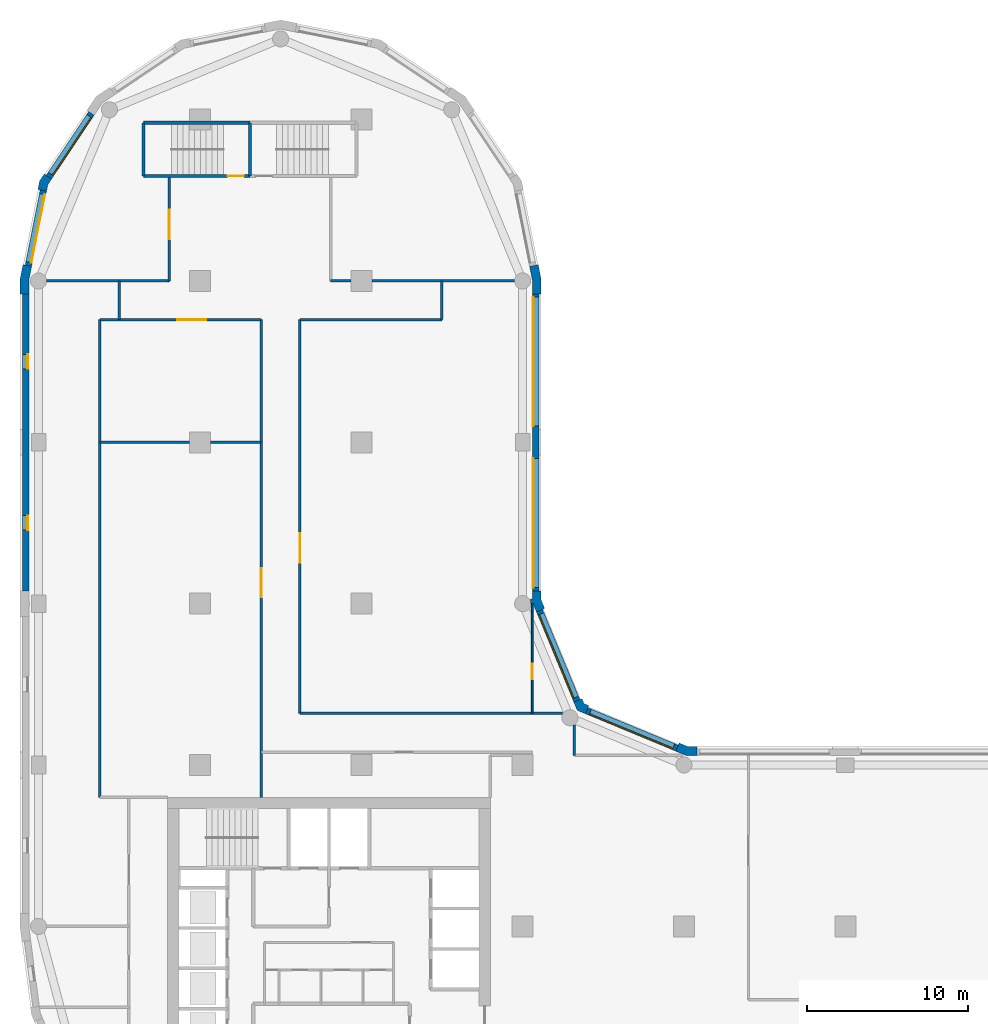
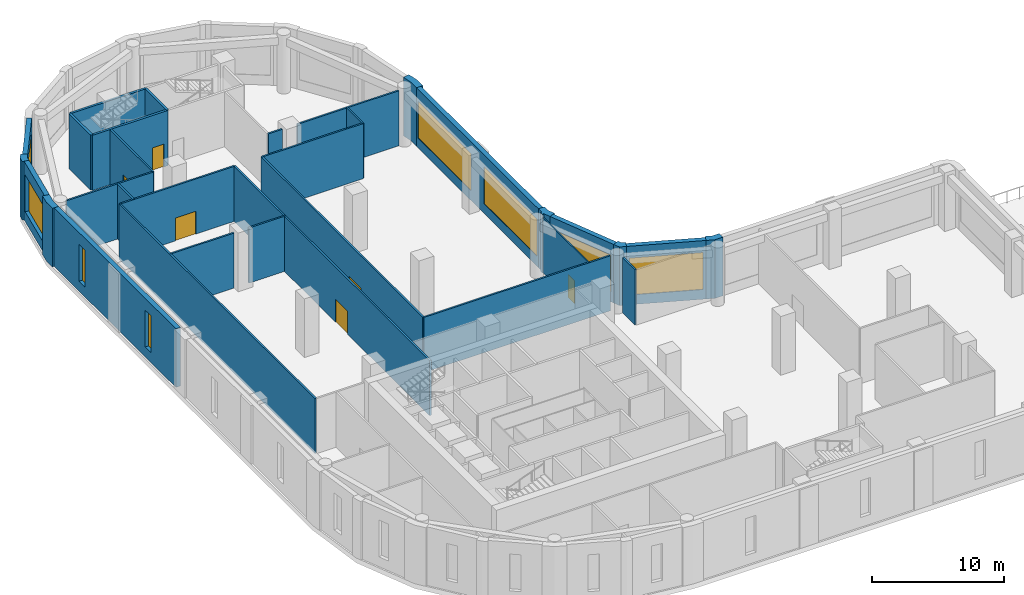
# One storey, part 5 of 9: 32 walls, 8 windows, 6 doors, 14 openings.
"""IFC4 building model written with IfcOpenShell, lengths in metres."""

from ifc_helpers import new_model, si_unit, direction, frame, frame_2d, origin, place, context, subcontext, project, spatial, polyline, rectangle, outline, extrude, material, layer, layer_set, type_object, element, fill, save


model = new_model("IFC4")

# Units and contexts
model_context = context("Model", 3, precision=1e-05, world=origin(), true_north=direction((0.0, 1.0)))
body_context = subcontext(model_context, "Body", "Model", "MODEL_VIEW")
ifc_project = project(units=[si_unit("LENGTHUNIT", "METRE"), si_unit("AREAUNIT", "SQUARE_METRE"), si_unit("VOLUMEUNIT", "CUBIC_METRE"), si_unit("PLANEANGLEUNIT", "RADIAN"), si_unit("MASSUNIT", "GRAM", prefix="KILO")], contexts=[model_context])

# Site, building, storey
site_placement = place(None, origin())
site = spatial("IfcSite", under=ifc_project, at=site_placement, CompositionType="ELEMENT")
building_placement = place(site_placement, origin())
building = spatial("IfcBuilding", under=site, at=building_placement, Name="Qaws Garden Tower", CompositionType="ELEMENT")
storey_placement = place(building_placement, frame((0.0, 0.0, 126.300048828125)))
storey = spatial("IfcBuildingStorey", under=building, at=storey_placement, Name="L30", CompositionType="ELEMENT", Elevation=126.300048828125)

# Wall, opening, window
ifc_material_1 = material(Name="Clay facing brick masonry", Category="masonry")
ifc_layer_1 = layer(ifc_material_1, 0.39990234375)
ifc_layer_set_1 = layer_set([ifc_layer_1], Name="Clay facing brick masonry")
wall_type_1 = type_object("IfcWallType", Name="Brick infill wall 400", PredefinedType="SOLIDWALL", material=ifc_layer_set_1)
wall_1_placement = place(storey_placement, frame((39.56689453125, 31.04541015625, 0.0), z_axis=(0.0, 0.0, 1.0), x_axis=(-0.923891000409, 0.382655745237, 0.0)))
wall_1 = element("IfcWall", 1, at=wall_1_placement, inside=storey, type_object=wall_type_1, Name="E-L30-infill-09", PredefinedType="SOLIDWALL", context=body_context, shape_type="SweptSolid", body=[
    extrude(rectangle(XDim=6.053466796875, YDim=0.39990234375, at=frame_2d((3.02685546875, 0.0))), origin(), (0.0, 0.0, 1.0), 5.39990234375),
])
opening_1_placement = place(wall_1_placement, frame((0.226806640625, 0.0, 0.89990234375)))
opening_1 = element("IfcOpeningElement", 2, at=opening_1_placement, cuts=wall_1, Name="Opening W05", PredefinedType="OPENING", context=body_context, shape_type="SweptSolid", body=[
    extrude(rectangle(XDim=5.60009765625, YDim=3.39990234375, at=frame_2d((2.800048828125, 1.699951171875))), frame((0.0, 0.2099609375, 0.0), z_axis=(0.0, -1.0, 0.0), x_axis=(1.0, 0.0, 0.0)), (0.0, 0.0, 1.0), 0.419921875),
])
ifc_material_2 = material(Name="Aluminium framed window, clear glazing", Category="aluminium")
window_type_1 = type_object("IfcWindowType", Name="Ribbon window 5600 x 3400", PartitioningType="DOUBLE_PANEL_VERTICAL", PredefinedType="WINDOW", material=ifc_material_2)
window_1_placement = place(opening_1_placement, origin())
window_1 = element("IfcWindow", 3, at=window_1_placement, inside=storey, type_object=window_type_1, Name="E-L30-window-09-0", OverallHeight=3.39990234375, OverallWidth=5.60009765625, PartitioningType="SINGLE_PANEL", PredefinedType="WINDOW", context=body_context, shape_type="SweptSolid", body=[
    extrude(rectangle(XDim=5.60009765625, YDim=3.39990234375, at=frame_2d((2.800048828125, 1.699951171875))), frame((0.0, 0.159912109375, 0.0), z_axis=(0.0, -1.0, 0.0), x_axis=(1.0, 0.0, 0.0)), (0.0, 0.0, 1.0), 0.06005859375),
])
fill(opening_1, window_1)

wall_2_placement = place(storey_placement, frame((33.36181640625, 33.97412109375, 0.0), z_axis=(0.0, 0.0, 1.0), x_axis=(-0.382655745237, 0.923891000409, 0.0)))
wall_2 = element("IfcWall", 4, at=wall_2_placement, inside=storey, type_object=wall_type_1, Name="E-L30-infill-10", PredefinedType="SOLIDWALL", context=body_context, shape_type="SweptSolid", body=[
    extrude(rectangle(XDim=6.053466796875, YDim=0.39990234375, at=frame_2d((3.02685546875, 0.0))), origin(), (0.0, 0.0, 1.0), 5.39990234375),
])
opening_2_placement = place(wall_2_placement, frame((0.226806640625, 0.0, 0.89990234375)))
opening_2 = element("IfcOpeningElement", 5, at=opening_2_placement, cuts=wall_2, Name="Opening W05", PredefinedType="OPENING", context=body_context, shape_type="SweptSolid", body=[
    extrude(rectangle(XDim=5.60009765625, YDim=3.39990234375, at=frame_2d((2.800048828125, 1.699951171875))), frame((0.0, 0.2099609375, 0.0), z_axis=(0.0, -1.0, 0.0), x_axis=(1.0, 0.0, 0.0)), (0.0, 0.0, 1.0), 0.419921875),
])
window_2_placement = place(opening_2_placement, origin())
window_2 = element("IfcWindow", 6, at=window_2_placement, inside=storey, type_object=window_type_1, Name="E-L30-window-10-0", OverallHeight=3.39990234375, OverallWidth=5.60009765625, PartitioningType="SINGLE_PANEL", PredefinedType="WINDOW", context=body_context, shape_type="SweptSolid", body=[
    extrude(rectangle(XDim=5.60009765625, YDim=3.39990234375, at=frame_2d((2.800048828125, 1.699951171875))), frame((0.0, 0.159912109375, 0.0), z_axis=(0.0, -1.0, 0.0), x_axis=(1.0, 0.0, 0.0)), (0.0, 0.0, 1.0), 0.06005859375),
])
fill(opening_2, window_2)

# Wall, openings, windows
wall_3_placement = place(storey_placement, frame((30.800048828125, 40.800048828125, 0.0), z_axis=(0.0, 0.0, 1.0), x_axis=(0.0, 1.0, 0.0)))
wall_3 = element("IfcWall", 7, at=wall_3_placement, inside=storey, type_object=wall_type_1, Name="E-L30-infill-11", PredefinedType="SOLIDWALL", context=body_context, shape_type="SweptSolid", body=[
    extrude(rectangle(XDim=18.39990234375, YDim=0.39990234375, at=frame_2d((9.199951171875, 0.0))), origin(), (0.0, 0.0, 1.0), 5.39990234375),
])
opening_3_placement = place(wall_3_placement, frame((0.199951171875, 0.0, 0.89990234375)))
opening_3 = element("IfcOpeningElement", 8, at=opening_3_placement, cuts=wall_3, Name="Opening W02", PredefinedType="OPENING", context=body_context, shape_type="SweptSolid", body=[
    extrude(rectangle(XDim=8.0, YDim=3.39990234375, at=frame_2d((4.0, 1.699951171875))), frame((0.0, 0.2099609375, 0.0), z_axis=(0.0, -1.0, 0.0), x_axis=(1.0, 0.0, 0.0)), (0.0, 0.0, 1.0), 0.419921875),
])
opening_4_placement = place(wall_3_placement, frame((10.199951171875, 0.0, 0.89990234375)))
opening_4 = element("IfcOpeningElement", 9, at=opening_4_placement, cuts=wall_3, Name="Opening W02", PredefinedType="OPENING", context=body_context, shape_type="SweptSolid", body=[
    extrude(rectangle(XDim=8.0, YDim=3.39990234375, at=frame_2d((4.0, 1.699951171875))), frame((0.0, 0.2099609375, 0.0), z_axis=(0.0, -1.0, 0.0), x_axis=(1.0, 0.0, 0.0)), (0.0, 0.0, 1.0), 0.419921875),
])
ifc_material_3 = material(Name="Aluminium framed window, clear glazing", Category="aluminium")
window_type_2 = type_object("IfcWindowType", Name="Ribbon window 8000 x 3400", PartitioningType="DOUBLE_PANEL_VERTICAL", PredefinedType="WINDOW", material=ifc_material_3)
window_3_placement = place(opening_3_placement, origin())
window_3 = element("IfcWindow", 10, at=window_3_placement, inside=storey, type_object=window_type_2, Name="E-L30-window-11-0", OverallHeight=3.39990234375, OverallWidth=8.0, PartitioningType="SINGLE_PANEL", PredefinedType="WINDOW", context=body_context, shape_type="SweptSolid", body=[
    extrude(rectangle(XDim=8.0, YDim=3.39990234375, at=frame_2d((4.0, 1.699951171875))), frame((0.0, 0.159912109375, 0.0), z_axis=(0.0, -1.0, 0.0), x_axis=(1.0, 0.0, 0.0)), (0.0, 0.0, 1.0), 0.06005859375),
])
fill(opening_3, window_3)
window_4_placement = place(opening_4_placement, origin())
window_4 = element("IfcWindow", 11, at=window_4_placement, inside=storey, type_object=window_type_2, Name="E-L30-window-12-0", OverallHeight=3.39990234375, OverallWidth=8.0, PartitioningType="SINGLE_PANEL", PredefinedType="WINDOW", context=body_context, shape_type="SweptSolid", body=[
    extrude(rectangle(XDim=8.0, YDim=3.39990234375, at=frame_2d((4.0, 1.699951171875))), frame((0.0, 0.159912109375, 0.0), z_axis=(0.0, -1.0, 0.0), x_axis=(1.0, 0.0, 0.0)), (0.0, 0.0, 1.0), 0.06005859375),
])
fill(opening_4, window_4)

# Wall, opening, window
wall_4_placement = place(storey_placement, frame((3.28369140625, 70.385986328125, 0.0), z_axis=(0.0, 0.0, 1.0), x_axis=(-0.555541552266, -0.831488775454, 0.0)))
wall_4 = element("IfcWall", 12, at=wall_4_placement, inside=storey, type_object=wall_type_1, Name="E-L30-infill-19", PredefinedType="SOLIDWALL", context=body_context, shape_type="SweptSolid", body=[
    extrude(rectangle(XDim=4.752685546875, YDim=0.39990234375, at=frame_2d((2.37646484375, 0.0))), origin(), (0.0, 0.0, 1.0), 5.39990234375),
])
opening_5_placement = place(wall_4_placement, frame((0.226318359375, 0.0, 0.89990234375)))
opening_5 = element("IfcOpeningElement", 13, at=opening_5_placement, cuts=wall_4, Name="Opening W07", PredefinedType="OPENING", context=body_context, shape_type="SweptSolid", body=[
    extrude(rectangle(XDim=4.300048828125, YDim=3.39990234375, at=frame_2d((2.14990234375, 1.699951171875))), frame((0.0, 0.2099609375, 0.0), z_axis=(0.0, -1.0, 0.0), x_axis=(1.0, 0.0, 0.0)), (0.0, 0.0, 1.0), 0.419921875),
])
ifc_material_4 = material(Name="Aluminium framed window, clear glazing", Category="aluminium")
window_type_3 = type_object("IfcWindowType", Name="Ribbon window 4300 x 3400", PartitioningType="DOUBLE_PANEL_VERTICAL", PredefinedType="WINDOW", material=ifc_material_4)
window_5_placement = place(opening_5_placement, origin())
window_5 = element("IfcWindow", 14, at=window_5_placement, inside=storey, type_object=window_type_3, Name="E-L30-window-19-0", OverallHeight=3.39990234375, OverallWidth=4.300048828125, PartitioningType="SINGLE_PANEL", PredefinedType="WINDOW", context=body_context, shape_type="SweptSolid", body=[
    extrude(rectangle(XDim=4.300048828125, YDim=3.39990234375, at=frame_2d((2.14990234375, 1.699951171875))), frame((0.0, 0.159912109375, 0.0), z_axis=(0.0, -1.0, 0.0), x_axis=(1.0, 0.0, 0.0)), (0.0, 0.0, 1.0), 0.06005859375),
])
fill(opening_5, window_5)

wall_5_placement = place(storey_placement, frame((0.298583984375, 65.60205078125, 0.0), z_axis=(0.0, 0.0, 1.0), x_axis=(-0.195098533057, -0.98078364709, 0.0)))
wall_5 = element("IfcWall", 15, at=wall_5_placement, inside=storey, type_object=wall_type_1, Name="E-L30-infill-20", PredefinedType="SOLIDWALL", context=body_context, shape_type="SweptSolid", body=[
    extrude(rectangle(XDim=4.752685546875, YDim=0.39990234375, at=frame_2d((2.37646484375, 0.0))), origin(), (0.0, 0.0, 1.0), 5.39990234375),
])
opening_6_placement = place(wall_5_placement, frame((0.226318359375, 0.0, 0.89990234375)))
opening_6 = element("IfcOpeningElement", 16, at=opening_6_placement, cuts=wall_5, Name="Opening W07", PredefinedType="OPENING", context=body_context, shape_type="SweptSolid", body=[
    extrude(rectangle(XDim=4.300048828125, YDim=3.39990234375, at=frame_2d((2.14990234375, 1.699951171875))), frame((0.0, 0.2099609375, 0.0), z_axis=(0.0, -1.0, 0.0), x_axis=(1.0, 0.0, 0.0)), (0.0, 0.0, 1.0), 0.419921875),
])
window_6_placement = place(opening_6_placement, origin())
window_6 = element("IfcWindow", 17, at=window_6_placement, inside=storey, type_object=window_type_3, Name="E-L30-window-20-0", OverallHeight=3.39990234375, OverallWidth=4.300048828125, PartitioningType="SINGLE_PANEL", PredefinedType="WINDOW", context=body_context, shape_type="SweptSolid", body=[
    extrude(rectangle(XDim=4.300048828125, YDim=3.39990234375, at=frame_2d((2.14990234375, 1.699951171875))), frame((0.0, 0.159912109375, 0.0), z_axis=(0.0, -1.0, 0.0), x_axis=(1.0, 0.0, 0.0)), (0.0, 0.0, 1.0), 0.06005859375),
])
fill(opening_6, window_6)

# Wall, openings, windows
wall_6_placement = place(storey_placement, frame((-0.800048828125, 59.199951171875, 0.0), z_axis=(0.0, 0.0, 1.0), x_axis=(0.0, -1.0, 0.0)))
wall_6 = element("IfcWall", 18, at=wall_6_placement, inside=storey, type_object=wall_type_1, Name="E-L30-infill-21", PredefinedType="SOLIDWALL", context=body_context, shape_type="SweptSolid", body=[
    extrude(rectangle(XDim=18.39990234375, YDim=0.39990234375, at=frame_2d((9.199951171875, 0.0))), origin(), (0.0, 0.0, 1.0), 5.39990234375),
])
opening_7_placement = place(wall_6_placement, frame((3.75, 0.0, 0.89990234375)))
opening_7 = element("IfcOpeningElement", 19, at=opening_7_placement, cuts=wall_6, Name="Opening W10", PredefinedType="OPENING", context=body_context, shape_type="SweptSolid", body=[
    extrude(rectangle(XDim=0.89990234375, YDim=3.39990234375, at=frame_2d((0.449951171875, 1.699951171875))), frame((0.0, 0.2099609375, 0.0), z_axis=(0.0, -1.0, 0.0), x_axis=(1.0, 0.0, 0.0)), (0.0, 0.0, 1.0), 0.419921875),
])
opening_8_placement = place(wall_6_placement, frame((13.75, 0.0, 0.89990234375)))
opening_8 = element("IfcOpeningElement", 20, at=opening_8_placement, cuts=wall_6, Name="Opening W10", PredefinedType="OPENING", context=body_context, shape_type="SweptSolid", body=[
    extrude(rectangle(XDim=0.89990234375, YDim=3.39990234375, at=frame_2d((0.449951171875, 1.699951171875))), frame((0.0, 0.2099609375, 0.0), z_axis=(0.0, -1.0, 0.0), x_axis=(1.0, 0.0, 0.0)), (0.0, 0.0, 1.0), 0.419921875),
])
ifc_material_5 = material(Name="Aluminium framed window, clear glazing", Category="aluminium")
window_type_4 = type_object("IfcWindowType", Name="Slit window 900 x 3400", PartitioningType="SINGLE_PANEL", PredefinedType="WINDOW", material=ifc_material_5)
window_7_placement = place(opening_7_placement, origin())
window_7 = element("IfcWindow", 21, at=window_7_placement, inside=storey, type_object=window_type_4, Name="E-L30-window-21-0", OverallHeight=3.39990234375, OverallWidth=0.89990234375, PartitioningType="SINGLE_PANEL", PredefinedType="WINDOW", context=body_context, shape_type="SweptSolid", body=[
    extrude(rectangle(XDim=0.89990234375, YDim=3.39990234375, at=frame_2d((0.449951171875, 1.699951171875))), frame((0.0, 0.159912109375, 0.0), z_axis=(0.0, -1.0, 0.0), x_axis=(1.0, 0.0, 0.0)), (0.0, 0.0, 1.0), 0.06005859375),
])
fill(opening_7, window_7)
window_8_placement = place(opening_8_placement, origin())
window_8 = element("IfcWindow", 22, at=window_8_placement, inside=storey, type_object=window_type_4, Name="E-L30-window-22-0", OverallHeight=3.39990234375, OverallWidth=0.89990234375, PartitioningType="SINGLE_PANEL", PredefinedType="WINDOW", context=body_context, shape_type="SweptSolid", body=[
    extrude(rectangle(XDim=0.89990234375, YDim=3.39990234375, at=frame_2d((0.449951171875, 1.699951171875))), frame((0.0, 0.159912109375, 0.0), z_axis=(0.0, -1.0, 0.0), x_axis=(1.0, 0.0, 0.0)), (0.0, 0.0, 1.0), 0.06005859375),
])
fill(opening_8, window_8)

# Walls
ifc_material_6 = material(Name="Clay facing brick masonry", Category="masonry")
ifc_layer_2 = layer(ifc_material_6, 0.550048828125)
ifc_layer_set_2 = layer_set([ifc_layer_2], Name="Clay facing brick masonry")
wall_type_2 = type_object("IfcWallType", Name="Brick kink pier 550 x 600", PredefinedType="SOLIDWALL", material=ifc_layer_set_2)
placement = place(storey_placement, origin())
element("IfcWall", 23, at=placement, inside=storey, type_object=wall_type_2, Name="E-L30-pier-20", PredefinedType="SOLIDWALL", context=body_context, shape_type="SweptSolid", body=[
    extrude(outline(polyline([(0.47705078125, 66.545166015625), (0.352294921875, 66.628662109375), (0.05859375, 66.18896484375), (-0.044677734375, 65.67041015625), (0.1025390625, 65.64111328125), (0.494873046875, 65.56298828125), (0.57666015625, 65.974365234375), (0.8095703125, 66.322998046875), (0.47705078125, 66.545166015625)])), origin(), (0.0, 0.0, 1.0), 5.39990234375),
])
ifc_material_7 = material(Name="Clay facing brick masonry", Category="masonry")
ifc_layer_3 = layer(ifc_material_7, 0.550048828125)
ifc_layer_set_3 = layer_set([ifc_layer_3], Name="Clay facing brick masonry")
wall_type_3 = type_object("IfcWallType", Name="Brick pier 550 x 1600", PredefinedType="SOLIDWALL", material=ifc_layer_set_3)
element("IfcWall", 24, at=placement, inside=storey, type_object=wall_type_3, Name="E-L30-pier-09", PredefinedType="SOLIDWALL", context=body_context, shape_type="SweptSolid", body=[
    extrude(outline(polyline([(40.800048828125, 31.0), (40.800048828125, 31.14990234375), (40.228759765625, 31.14990234375), (39.700927734375, 31.36865234375), (39.6435546875, 31.22998046875), (39.490478515625, 30.860595703125), (40.119384765625, 30.60009765625), (40.800048828125, 30.60009765625), (40.800048828125, 31.0)])), origin(), (0.0, 0.0, 1.0), 5.39990234375),
])
element("IfcWall", 25, at=placement, inside=storey, type_object=wall_type_3, Name="E-L30-pier-10", PredefinedType="SOLIDWALL", context=body_context, shape_type="SweptSolid", body=[
    extrude(outline(polyline([(34.05078125, 33.546630859375), (34.108154296875, 33.685302734375), (33.80908203125, 33.80908203125), (33.685302734375, 34.108154296875), (33.546630859375, 34.05078125), (33.177001953125, 33.897705078125), (33.38818359375, 33.38818359375), (33.897705078125, 33.177001953125), (34.05078125, 33.546630859375)])), origin(), (0.0, 0.0, 1.0), 5.39990234375),
])
element("IfcWall", 26, at=placement, inside=storey, type_object=wall_type_3, Name="E-L30-pier-11", PredefinedType="SOLIDWALL", context=body_context, shape_type="SweptSolid", body=[
    extrude(outline(polyline([(30.6201171875, 39.995361328125), (30.6201171875, 40.071044921875), (30.860595703125, 39.490478515625), (31.22998046875, 39.6435546875), (31.36865234375, 39.700927734375), (31.14990234375, 40.228759765625), (31.14990234375, 40.800048828125), (31.0, 40.800048828125), (30.60009765625, 40.800048828125), (30.60009765625, 40.29541015625), (30.5, 40.29541015625), (30.5, 39.995361328125), (30.6201171875, 39.995361328125)])), origin(), (0.0, 0.0, 1.0), 5.39990234375),
])
element("IfcWall", 27, at=placement, inside=storey, type_object=wall_type_3, Name="E-L30-pier-13", PredefinedType="SOLIDWALL", context=body_context, shape_type="SweptSolid", body=[
    extrude(outline(polyline([(31.0, 59.199951171875), (31.14990234375, 59.199951171875), (31.14990234375, 60.11328125), (30.971923828125, 61.009033203125), (30.82470703125, 60.979736328125), (30.432373046875, 60.901611328125), (30.60009765625, 60.05908203125), (30.60009765625, 59.199951171875), (31.0, 59.199951171875)])), origin(), (0.0, 0.0, 1.0), 5.39990234375),
])
element("IfcWall", 28, at=placement, inside=storey, type_object=wall_type_3, Name="E-L30-pier-21", PredefinedType="SOLIDWALL", context=body_context, shape_type="SweptSolid", body=[
    extrude(outline(polyline([(-0.82470703125, 60.979736328125), (-0.971923828125, 61.009033203125), (-1.14990234375, 60.11328125), (-1.14990234375, 59.199951171875), (-1.0, 59.199951171875), (-0.60009765625, 59.199951171875), (-0.60009765625, 60.05908203125), (-0.432373046875, 60.901611328125), (-0.82470703125, 60.979736328125)])), origin(), (0.0, 0.0, 1.0), 5.39990234375),
])

# Wall, opening, door
ifc_material_8 = material(Name="Concrete C70", Category="concrete")
ifc_layer_4 = layer(ifc_material_8, 0.199951171875)
ifc_layer_set_4 = layer_set([ifc_layer_4], Name="Concrete C70")
wall_type_4 = type_object("IfcWallType", Name="Core shaft wall 200 C70", PredefinedType="SHEAR", material=ifc_layer_set_4)
wall_13_placement = place(storey_placement, frame((6.5, 66.5, 0.0), z_axis=(0.0, 0.0, 1.0), x_axis=(1.0, 0.0, 0.0)))
wall_13 = element("IfcWall", 29, at=wall_13_placement, inside=storey, type_object=wall_type_4, Name="Shaft wall", PredefinedType="SHEAR", context=body_context, shape_type="SweptSolid", body=[
    extrude(rectangle(XDim=6.60009765625, YDim=0.199951171875, at=frame_2d((3.300048828125, 0.0))), origin(), (0.0, 0.0, 1.0), 5.079833984375),
])
opening_9_placement = place(wall_13_placement, frame((5.22509765625, 0.0, 0.0)))
opening_9 = element("IfcOpeningElement", 30, at=opening_9_placement, cuts=wall_13, Name="Opening SD15", PredefinedType="OPENING", context=body_context, shape_type="SweptSolid", body=[
    extrude(rectangle(XDim=1.0, YDim=2.10009765625, at=frame_2d((0.5, 1.050048828125))), frame((0.0, 0.10986328125, 0.0), z_axis=(0.0, -1.0, 0.0), x_axis=(1.0, 0.0, 0.0)), (0.0, 0.0, 1.0), 0.219970703125),
])
ifc_material_9 = material(Name="Steel S235", Category="steel")
door_type_1 = type_object("IfcDoorType", Name="Stair door 1000x2100", OperationType="SINGLE_SWING_RIGHT", PredefinedType="DOOR", material=ifc_material_9)
door_1_placement = place(opening_9_placement, origin())
door_1 = element("IfcDoor", 31, at=door_1_placement, inside=storey, type_object=door_type_1, Name="Stair 6 door", OperationType="SINGLE_SWING_RIGHT", OverallHeight=2.10009765625, OverallWidth=1.0, PredefinedType="DOOR", context=body_context, shape_type="SweptSolid", body=[
    extrude(rectangle(XDim=1.0, YDim=2.10009765625, at=frame_2d((0.5, 1.050048828125))), frame((0.0, 0.02490234375, 0.0), z_axis=(0.0, -1.0, 0.0), x_axis=(1.0, 0.0, 0.0)), (0.0, 0.0, 1.0), 0.050048828125),
])
fill(opening_9, door_1)

# Walls
wall_14_placement = place(storey_placement, frame((6.5, 69.800048828125, 0.0), z_axis=(0.0, 0.0, 1.0), x_axis=(1.0, 0.0, 0.0)))
element("IfcWall", 32, at=wall_14_placement, inside=storey, type_object=wall_type_4, Name="Shaft wall", PredefinedType="SHEAR", context=body_context, shape_type="SweptSolid", body=[
    extrude(rectangle(XDim=6.60009765625, YDim=0.199951171875, at=frame_2d((3.300048828125, 0.0))), origin(), (0.0, 0.0, 1.0), 5.079833984375),
])
for number, where, z_axis, x_axis, name in (
    (33, (6.5, 66.5, 0.0), (0.0, 0.0, 1.0), (0.0, 1.0, 0.0), "Shaft wall"),
    (34, (13.10009765625, 66.5, 0.0), (0.0, 0.0, 1.0), (0.0, 1.0, 0.0), "Shaft wall"),
):
    element("IfcWall", number, at=place(storey_placement, frame(where, z_axis=z_axis, x_axis=x_axis)), inside=storey, type_object=wall_type_4, Name=name, PredefinedType="SHEAR", context=body_context, shape_type="SweptSolid", body=[
        extrude(rectangle(XDim=3.300048828125, YDim=0.199951171875, at=frame_2d((1.64990234375, 0.0))), origin(), (0.0, 0.0, 1.0), 5.079833984375),
    ])

# Wall, opening, door
ifc_material_10 = material(Name="Gypsum board partition")
ifc_layer_5 = layer(ifc_material_10, 0.10009765625)
ifc_layer_set_5 = layer_set([ifc_layer_5], Name="Gypsum board partition")
wall_type_5 = type_object("IfcWallType", Name="PARTITION 100", PredefinedType="PARTITIONING", material=ifc_layer_set_5)
wall_15_placement = place(storey_placement, frame((30.60009765625, 33.199951171875, 0.0), z_axis=(0.0, 0.0, 1.0), x_axis=(0.0, 1.0, 0.0)))
wall_15 = element("IfcWall", 35, at=wall_15_placement, inside=storey, type_object=wall_type_5, Name="O-L30-wall-001", PredefinedType="PARTITIONING", context=body_context, shape_type="SweptSolid", body=[
    extrude(rectangle(XDim=6.795166015625, YDim=0.10009765625, at=frame_2d((3.3974609375, 0.0))), origin(), (0.0, 0.0, 1.0), 5.079833984375),
])
opening_10_placement = place(wall_15_placement, frame((2.125, 0.0, 0.0)))
opening_10 = element("IfcOpeningElement", 36, at=opening_10_placement, cuts=wall_15, Name="Opening S113", PredefinedType="OPENING", context=body_context, shape_type="SweptSolid", body=[
    extrude(rectangle(XDim=0.949951171875, YDim=2.10009765625, at=frame_2d((0.47509765625, 1.050048828125))), frame((0.0, 0.06005859375, 0.0), z_axis=(0.0, -1.0, 0.0), x_axis=(1.0, 0.0, 0.0)), (0.0, 0.0, 1.0), 0.1201171875),
])
ifc_material_11 = material(Name="Timber and glass door leaf", Category="wood")
door_type_2 = type_object("IfcDoorType", Name="GLAZED DOOR 950 X 2100", OperationType="SINGLE_SWING_LEFT", PredefinedType="DOOR", material=ifc_material_11)
door_2_placement = place(opening_10_placement, frame((0.949951171875, 0.0, 0.0), z_axis=(0.0, 0.0, 1.0), x_axis=(-1.0, 0.0, 0.0)))
door_2 = element("IfcDoor", 37, at=door_2_placement, inside=storey, type_object=door_type_2, Name="O-L30-door-013", OperationType="SINGLE_SWING_RIGHT", OverallHeight=2.10009765625, OverallWidth=0.949951171875, PredefinedType="DOOR", context=body_context, shape_type="SweptSolid", body=[
    extrude(rectangle(XDim=0.949951171875, YDim=2.10009765625, at=frame_2d((0.47509765625, 1.050048828125))), frame((0.0, 0.02490234375, 0.0), z_axis=(0.0, -1.0, 0.0), x_axis=(1.0, 0.0, 0.0)), (0.0, 0.0, 1.0), 0.050048828125),
])
fill(opening_10, door_2)

# Walls
ifc_material_12 = material(Name="Gypsum board partition")
ifc_layer_6 = layer(ifc_material_12, 0.14990234375)
ifc_layer_set_6 = layer_set([ifc_layer_6], Name="Gypsum board partition")
wall_type_6 = type_object("IfcWallType", Name="PARTITION 150 EI 60", PredefinedType="PARTITIONING", material=ifc_layer_set_6)
wall_16_placement = place(storey_placement, frame((3.800048828125, 28.0, 0.0), z_axis=(0.0, 0.0, 1.0), x_axis=(0.0, 1.0, 0.0)))
element("IfcWall", 38, at=wall_16_placement, inside=storey, type_object=wall_type_6, Name="O-L30-wall-002", PredefinedType="PARTITIONING", context=body_context, shape_type="SweptSolid", body=[
    extrude(rectangle(XDim=29.60009765625, YDim=0.14990234375, at=frame_2d((14.800048828125, 0.0))), origin(), (0.0, 0.0, 1.0), 5.079833984375),
])
wall_17_placement = place(storey_placement, frame((5.0, 57.60009765625, 0.0), z_axis=(0.0, 0.0, 1.0), x_axis=(0.0, 1.0, 0.0)))
element("IfcWall", 39, at=wall_17_placement, inside=storey, type_object=wall_type_6, Name="O-L30-wall-003", PredefinedType="PARTITIONING", context=body_context, shape_type="SweptSolid", body=[
    extrude(rectangle(XDim=2.39990234375, YDim=0.14990234375, at=frame_2d((1.199951171875, 0.0))), origin(), (0.0, 0.0, 1.0), 5.079833984375),
])

# Wall, opening, door
wall_18_placement = place(storey_placement, frame((8.10009765625, 60.0, 0.0), z_axis=(0.0, 0.0, 1.0), x_axis=(0.0, 1.0, 0.0)))
wall_18 = element("IfcWall", 40, at=wall_18_placement, inside=storey, type_object=wall_type_6, Name="O-L30-wall-005", PredefinedType="PARTITIONING", context=body_context, shape_type="SweptSolid", body=[
    extrude(rectangle(XDim=6.39990234375, YDim=0.14990234375, at=frame_2d((3.199951171875, 0.0))), origin(), (0.0, 0.0, 1.0), 5.079833984375),
])
opening_11_placement = place(wall_18_placement, frame((2.60009765625, 0.0, 0.0)))
opening_11 = element("IfcOpeningElement", 41, at=opening_11_placement, cuts=wall_18, Name="Opening S103", PredefinedType="OPENING", context=body_context, shape_type="SweptSolid", body=[
    extrude(rectangle(XDim=1.800048828125, YDim=2.10009765625, at=frame_2d((0.89990234375, 1.050048828125))), frame((0.0, 0.0849609375, 0.0), z_axis=(0.0, -1.0, 0.0), x_axis=(1.0, 0.0, 0.0)), (0.0, 0.0, 1.0), 0.169921875),
])
ifc_material_13 = material(Name="Timber door leaf", Category="wood")
door_type_3 = type_object("IfcDoorType", Name="DOUBLE DOOR 1800 X 2100", OperationType="DOUBLE_DOOR_SINGLE_SWING", PredefinedType="DOOR", material=ifc_material_13)
door_3_placement = place(opening_11_placement, origin())
door_3 = element("IfcDoor", 42, at=door_3_placement, inside=storey, type_object=door_type_3, Name="O-L30-door-003", OperationType="DOUBLE_DOOR_SINGLE_SWING", OverallHeight=2.10009765625, OverallWidth=1.800048828125, PredefinedType="DOOR", context=body_context, shape_type="SweptSolid", body=[
    extrude(rectangle(XDim=1.800048828125, YDim=2.10009765625, at=frame_2d((0.89990234375, 1.050048828125))), frame((0.0, 0.02490234375, 0.0), z_axis=(0.0, -1.0, 0.0), x_axis=(1.0, 0.0, 0.0)), (0.0, 0.0, 1.0), 0.050048828125),
])
fill(opening_11, door_3)

wall_19_placement = place(storey_placement, frame((13.800048828125, 28.0, 0.0), z_axis=(0.0, 0.0, 1.0), x_axis=(0.0, 1.0, 0.0)))
wall_19 = element("IfcWall", 43, at=wall_19_placement, inside=storey, type_object=wall_type_6, Name="O-L30-wall-006", PredefinedType="PARTITIONING", context=body_context, shape_type="SweptSolid", body=[
    extrude(rectangle(XDim=29.60009765625, YDim=0.14990234375, at=frame_2d((14.800048828125, 0.0))), origin(), (0.0, 0.0, 1.0), 5.079833984375),
])
opening_12_placement = place(wall_19_placement, frame((12.39990234375, 0.0, 0.0)))
opening_12 = element("IfcOpeningElement", 44, at=opening_12_placement, cuts=wall_19, Name="Opening S109", PredefinedType="OPENING", context=body_context, shape_type="SweptSolid", body=[
    extrude(rectangle(XDim=1.800048828125, YDim=2.10009765625, at=frame_2d((0.89990234375, 1.050048828125))), frame((0.0, 0.0849609375, 0.0), z_axis=(0.0, -1.0, 0.0), x_axis=(1.0, 0.0, 0.0)), (0.0, 0.0, 1.0), 0.169921875),
])
door_4_placement = place(opening_12_placement, origin())
door_4 = element("IfcDoor", 45, at=door_4_placement, inside=storey, type_object=door_type_3, Name="O-L30-door-009", OperationType="DOUBLE_DOOR_SINGLE_SWING", OverallHeight=2.10009765625, OverallWidth=1.800048828125, PredefinedType="DOOR", context=body_context, shape_type="SweptSolid", body=[
    extrude(rectangle(XDim=1.800048828125, YDim=2.10009765625, at=frame_2d((0.89990234375, 1.050048828125))), frame((0.0, 0.02490234375, 0.0), z_axis=(0.0, -1.0, 0.0), x_axis=(1.0, 0.0, 0.0)), (0.0, 0.0, 1.0), 0.050048828125),
])
fill(opening_12, door_4)

wall_20_placement = place(storey_placement, frame((16.199951171875, 33.199951171875, 0.0), z_axis=(0.0, 0.0, 1.0), x_axis=(0.0, 1.0, 0.0)))
wall_20 = element("IfcWall", 46, at=wall_20_placement, inside=storey, type_object=wall_type_6, Name="O-L30-wall-008", PredefinedType="PARTITIONING", context=body_context, shape_type="SweptSolid", body=[
    extrude(rectangle(XDim=24.400146484375, YDim=0.14990234375, at=frame_2d((12.2001953125, 0.0))), origin(), (0.0, 0.0, 1.0), 5.079833984375),
])
opening_13_placement = place(wall_20_placement, frame((9.35009765625, 0.0, 0.0)))
opening_13 = element("IfcOpeningElement", 47, at=opening_13_placement, cuts=wall_20, Name="Opening S112", PredefinedType="OPENING", context=body_context, shape_type="SweptSolid", body=[
    extrude(rectangle(XDim=1.800048828125, YDim=2.10009765625, at=frame_2d((0.89990234375, 1.050048828125))), frame((0.0, 0.0849609375, 0.0), z_axis=(0.0, -1.0, 0.0), x_axis=(1.0, 0.0, 0.0)), (0.0, 0.0, 1.0), 0.169921875),
])
door_5_placement = place(opening_13_placement, frame((1.800048828125, 0.0, 0.0), z_axis=(0.0, 0.0, 1.0), x_axis=(-1.0, 0.0, 0.0)))
door_5 = element("IfcDoor", 48, at=door_5_placement, inside=storey, type_object=door_type_3, Name="O-L30-door-012", OperationType="DOUBLE_DOOR_SINGLE_SWING", OverallHeight=2.10009765625, OverallWidth=1.800048828125, PredefinedType="DOOR", context=body_context, shape_type="SweptSolid", body=[
    extrude(rectangle(XDim=1.800048828125, YDim=2.10009765625, at=frame_2d((0.89990234375, 1.050048828125))), frame((0.0, 0.02490234375, 0.0), z_axis=(0.0, -1.0, 0.0), x_axis=(1.0, 0.0, 0.0)), (0.0, 0.0, 1.0), 0.050048828125),
])
fill(opening_13, door_5)

# Walls
wall_21_placement = place(storey_placement, frame((25.0, 57.60009765625, 0.0), z_axis=(0.0, 0.0, 1.0), x_axis=(0.0, 1.0, 0.0)))
element("IfcWall", 49, at=wall_21_placement, inside=storey, type_object=wall_type_6, Name="O-L30-wall-011", PredefinedType="PARTITIONING", context=body_context, shape_type="SweptSolid", body=[
    extrude(rectangle(XDim=2.39990234375, YDim=0.14990234375, at=frame_2d((1.199951171875, 0.0))), origin(), (0.0, 0.0, 1.0), 5.079833984375),
])
wall_22_placement = place(storey_placement, frame((33.199951171875, 30.60009765625, 0.0), z_axis=(0.0, 0.0, 1.0), x_axis=(0.0, 1.0, 0.0)))
element("IfcWall", 50, at=wall_22_placement, inside=storey, type_object=wall_type_6, Name="O-L30-wall-014", PredefinedType="PARTITIONING", context=body_context, shape_type="SweptSolid", body=[
    extrude(rectangle(XDim=1.868896484375, YDim=0.14990234375, at=frame_2d((0.9345703125, 0.0))), origin(), (0.0, 0.0, 1.0), 5.079833984375),
])
wall_23_placement = place(storey_placement, frame((16.199951171875, 33.199951171875, 0.0), z_axis=(0.0, 0.0, 1.0), x_axis=(1.0, 0.0, 0.0)))
element("IfcWall", 51, at=wall_23_placement, inside=storey, type_object=wall_type_6, Name="O-L30-wall-030", PredefinedType="PARTITIONING", context=body_context, shape_type="SweptSolid", body=[
    extrude(rectangle(XDim=16.26904296875, YDim=0.14990234375, at=frame_2d((8.134521484375, 0.0))), origin(), (0.0, 0.0, 1.0), 5.079833984375),
])
wall_24_placement = place(storey_placement, frame((3.800048828125, 50.0, 0.0), z_axis=(0.0, 0.0, 1.0), x_axis=(1.0, 0.0, 0.0)))
element("IfcWall", 52, at=wall_24_placement, inside=storey, type_object=wall_type_6, Name="O-L30-wall-031", PredefinedType="PARTITIONING", context=body_context, shape_type="SweptSolid", body=[
    extrude(rectangle(XDim=5.550048828125, YDim=0.14990234375, at=frame_2d((2.77490234375, 0.0))), origin(), (0.0, 0.0, 1.0), 5.079833984375),
])
wall_25_placement = place(storey_placement, frame((10.64990234375, 50.0, 0.0), z_axis=(0.0, 0.0, 1.0), x_axis=(1.0, 0.0, 0.0)))
element("IfcWall", 53, at=wall_25_placement, inside=storey, type_object=wall_type_6, Name="O-L30-wall-032", PredefinedType="PARTITIONING", context=body_context, shape_type="SweptSolid", body=[
    extrude(rectangle(XDim=3.150146484375, YDim=0.14990234375, at=frame_2d((1.5751953125, 0.0))), origin(), (0.0, 0.0, 1.0), 5.079833984375),
])

# Wall, opening, door
wall_26_placement = place(storey_placement, frame((3.800048828125, 57.60009765625, 0.0), z_axis=(0.0, 0.0, 1.0), x_axis=(1.0, 0.0, 0.0)))
wall_26 = element("IfcWall", 54, at=wall_26_placement, inside=storey, type_object=wall_type_6, Name="O-L30-wall-033", PredefinedType="PARTITIONING", context=body_context, shape_type="SweptSolid", body=[
    extrude(rectangle(XDim=10.0, YDim=0.14990234375, at=frame_2d((5.0, 0.0))), origin(), (0.0, 0.0, 1.0), 5.079833984375),
])
opening_14_placement = place(wall_26_placement, frame((4.800048828125, 0.0, 0.0)))
opening_14 = element("IfcOpeningElement", 55, at=opening_14_placement, cuts=wall_26, Name="Opening S110", PredefinedType="OPENING", context=body_context, shape_type="SweptSolid", body=[
    extrude(rectangle(XDim=1.800048828125, YDim=2.10009765625, at=frame_2d((0.89990234375, 1.050048828125))), frame((0.0, 0.0849609375, 0.0), z_axis=(0.0, -1.0, 0.0), x_axis=(1.0, 0.0, 0.0)), (0.0, 0.0, 1.0), 0.169921875),
])
door_6_placement = place(opening_14_placement, frame((1.800048828125, 0.0, 0.0), z_axis=(0.0, 0.0, 1.0), x_axis=(-1.0, 0.0, 0.0)))
door_6 = element("IfcDoor", 56, at=door_6_placement, inside=storey, type_object=door_type_3, Name="O-L30-door-010", OperationType="DOUBLE_DOOR_SINGLE_SWING", OverallHeight=2.10009765625, OverallWidth=1.800048828125, PredefinedType="DOOR", context=body_context, shape_type="SweptSolid", body=[
    extrude(rectangle(XDim=1.800048828125, YDim=2.10009765625, at=frame_2d((0.89990234375, 1.050048828125))), frame((0.0, 0.02490234375, 0.0), z_axis=(0.0, -1.0, 0.0), x_axis=(1.0, 0.0, 0.0)), (0.0, 0.0, 1.0), 0.050048828125),
])
fill(opening_14, door_6)

# Walls
wall_27_placement = place(storey_placement, frame((16.199951171875, 57.60009765625, 0.0), z_axis=(0.0, 0.0, 1.0), x_axis=(1.0, 0.0, 0.0)))
element("IfcWall", 57, at=wall_27_placement, inside=storey, type_object=wall_type_6, Name="O-L30-wall-034", PredefinedType="PARTITIONING", context=body_context, shape_type="SweptSolid", body=[
    extrude(rectangle(XDim=8.800048828125, YDim=0.14990234375, at=frame_2d((4.39990234375, 0.0))), origin(), (0.0, 0.0, 1.0), 5.079833984375),
])
wall_28_placement = place(storey_placement, frame((0.5, 60.0, 0.0), z_axis=(0.0, 0.0, 1.0), x_axis=(1.0, 0.0, 0.0)))
element("IfcWall", 58, at=wall_28_placement, inside=storey, type_object=wall_type_6, Name="O-L30-wall-035", PredefinedType="PARTITIONING", context=body_context, shape_type="SweptSolid", body=[
    extrude(rectangle(XDim=7.60009765625, YDim=0.14990234375, at=frame_2d((3.800048828125, 0.0))), origin(), (0.0, 0.0, 1.0), 5.079833984375),
])
wall_29_placement = place(storey_placement, frame((18.10009765625, 60.0, 0.0), z_axis=(0.0, 0.0, 1.0), x_axis=(1.0, 0.0, 0.0)))
element("IfcWall", 59, at=wall_29_placement, inside=storey, type_object=wall_type_6, Name="O-L30-wall-036", PredefinedType="PARTITIONING", context=body_context, shape_type="SweptSolid", body=[
    extrude(rectangle(XDim=1.25, YDim=0.14990234375, at=frame_2d((0.625, 0.0))), origin(), (0.0, 0.0, 1.0), 5.079833984375),
])
wall_30_placement = place(storey_placement, frame((20.64990234375, 60.0, 0.0), z_axis=(0.0, 0.0, 1.0), x_axis=(1.0, 0.0, 0.0)))
element("IfcWall", 60, at=wall_30_placement, inside=storey, type_object=wall_type_6, Name="O-L30-wall-037", PredefinedType="PARTITIONING", context=body_context, shape_type="SweptSolid", body=[
    extrude(rectangle(XDim=8.85009765625, YDim=0.14990234375, at=frame_2d((4.425048828125, 0.0))), origin(), (0.0, 0.0, 1.0), 5.079833984375),
])

save(model, "model.ifc")
